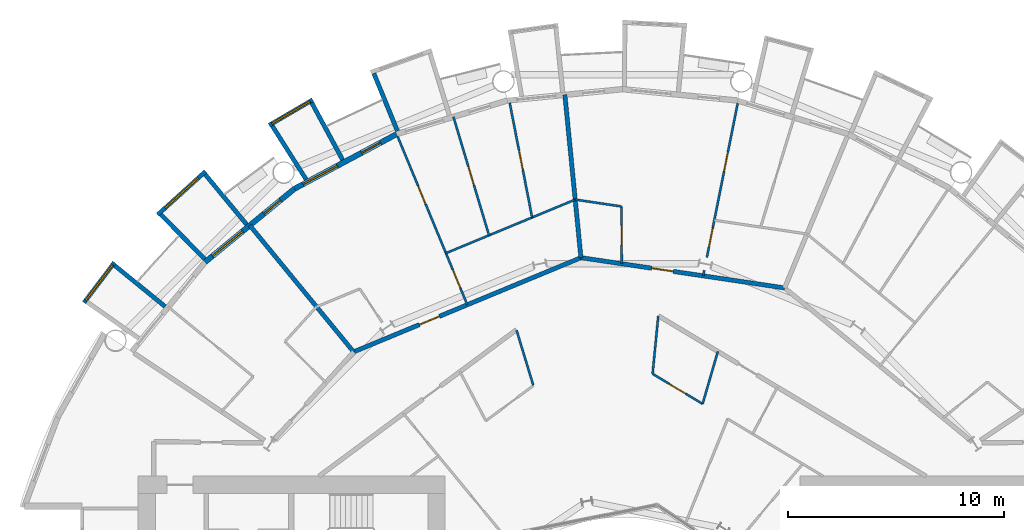
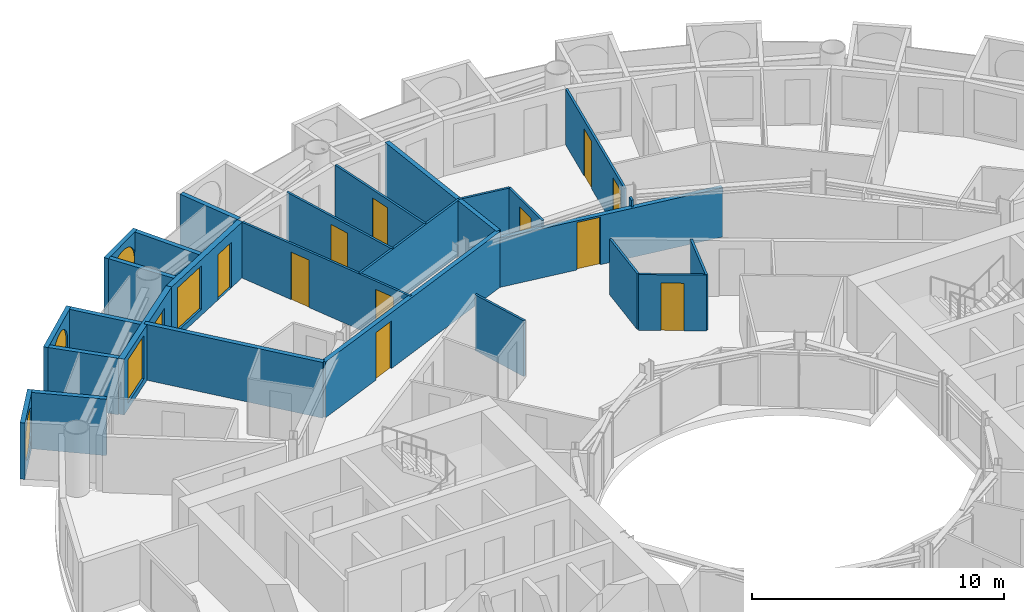
# One storey, part 19 of 26: 27 walls, 12 doors, 5 windows, 17 openings.
"""IFC4 building model written with IfcOpenShell, lengths in metres."""

from ifc_helpers import new_model, si_unit, direction, frame, frame_2d, origin, place, context, subcontext, project, spatial, rectangle, circle, extrude, material, layer, layer_set, type_object, element, fill, save


model = new_model("IFC4")

# Units and contexts
model_context = context("Model", 3, precision=1e-05, world=origin(), true_north=direction((0.0, 1.0)))
body_context = subcontext(model_context, "Body", "Model", "MODEL_VIEW")
ifc_project = project(units=[si_unit("LENGTHUNIT", "METRE"), si_unit("AREAUNIT", "SQUARE_METRE"), si_unit("VOLUMEUNIT", "CUBIC_METRE"), si_unit("PLANEANGLEUNIT", "RADIAN"), si_unit("MASSUNIT", "GRAM", prefix="KILO")], contexts=[model_context])

# Site, building, storey
site_placement = place(None, origin())
site = spatial("IfcSite", under=ifc_project, at=site_placement, CompositionType="ELEMENT")
building_placement = place(site_placement, origin())
building = spatial("IfcBuilding", under=site, at=building_placement, Name="Maasbend Ring Residences", CompositionType="ELEMENT")
storey_placement = place(building_placement, frame((0.0, 0.0, 50.25)))
storey = spatial("IfcBuildingStorey", under=building, at=storey_placement, Name="L14", CompositionType="ELEMENT", Elevation=50.25)

# Wall, opening, door
ifc_material_1 = material(Name="Concrete C30/37", Category="concrete")
ifc_layer_1 = layer(ifc_material_1, 0.199951171875)
ifc_layer_set_1 = layer_set([ifc_layer_1], Name="Concrete C30/37")
wall_type_1 = type_object("IfcWallType", Name="CORRIDOR WALL 200 CONCRETE", PredefinedType="PARTITIONING", material=ifc_layer_set_1)
wall_1_placement = place(storey_placement, frame((-12.43505859375, 15.14990234375, 0.0), z_axis=(0.0, 0.0, 1.0), x_axis=(0.923845560554, 0.38276543763, 0.0)))
wall_1 = element("IfcWall", 1, at=wall_1_placement, inside=storey, type_object=wall_type_1, Name="U-L14-w092", PredefinedType="PARTITIONING", context=body_context, shape_type="SweptSolid", body=[
    extrude(rectangle(XDim=11.380859375, YDim=0.199951171875, at=frame_2d((5.6904296875, 0.0))), origin(), (0.0, 0.0, 1.0), 2.699951171875),
])
opening_1_placement = place(wall_1_placement, frame((3.29296875, 0.0, 0.0)))
opening_1 = element("IfcOpeningElement", 2, at=opening_1_placement, cuts=wall_1, Name="Opening D-1412", PredefinedType="OPENING", context=body_context, shape_type="SweptSolid", body=[
    extrude(rectangle(XDim=1.0, YDim=2.300048828125, at=frame_2d((0.5, 1.14990234375))), frame((0.0, 0.10986328125, 0.0), z_axis=(0.0, -1.0, 0.0), x_axis=(1.0, 0.0, 0.0)), (0.0, 0.0, 1.0), 0.219970703125),
])
ifc_material_2 = material(Name="Timber, fire-rated, painted", Category="wood")
door_type_1 = type_object("IfcDoorType", Name="FLAT ENTRANCE DOOR 1000 X 2300 FIRE-RATED", OperationType="NOTDEFINED", PredefinedType="DOOR", material=ifc_material_2)
door_1_placement = place(opening_1_placement, origin())
door_1 = element("IfcDoor", 3, at=door_1_placement, inside=storey, type_object=door_type_1, Name="D-1412", OperationType="SINGLE_SWING_LEFT", OverallHeight=2.300048828125, OverallWidth=1.0, PredefinedType="DOOR", context=body_context, shape_type="SweptSolid", body=[
    extrude(rectangle(XDim=1.0, YDim=2.300048828125, at=frame_2d((0.5, 1.14990234375))), frame((0.0, 0.02490234375, 0.0), z_axis=(0.0, -1.0, 0.0), x_axis=(1.0, 0.0, 0.0)), (0.0, 0.0, 1.0), 0.050048828125),
])
fill(opening_1, door_1)

wall_2_placement = place(storey_placement, frame((-1.9208984375, 19.506103515625, 0.0), z_axis=(0.0, 0.0, 1.0), x_axis=(0.989134446023, -0.147013767014, 0.0)))
wall_2 = element("IfcWall", 4, at=wall_2_placement, inside=storey, type_object=wall_type_1, Name="U-L14-w094", PredefinedType="PARTITIONING", context=body_context, shape_type="SweptSolid", body=[
    extrude(rectangle(XDim=9.530517578125, YDim=0.199951171875, at=frame_2d((4.76513671875, 0.0))), origin(), (0.0, 0.0, 1.0), 2.3798828125),
])
opening_2_placement = place(wall_2_placement, frame((3.31005859375, 0.0, 0.0)))
opening_2 = element("IfcOpeningElement", 5, at=opening_2_placement, cuts=wall_2, Name="Opening D-1407", PredefinedType="OPENING", context=body_context, shape_type="SweptSolid", body=[
    extrude(rectangle(XDim=1.0, YDim=2.300048828125, at=frame_2d((0.5, 1.14990234375))), frame((0.0, 0.10986328125, 0.0), z_axis=(0.0, -1.0, 0.0), x_axis=(1.0, 0.0, 0.0)), (0.0, 0.0, 1.0), 0.219970703125),
])
door_2_placement = place(opening_2_placement, origin())
door_2 = element("IfcDoor", 6, at=door_2_placement, inside=storey, type_object=door_type_1, Name="D-1407", OperationType="SINGLE_SWING_LEFT", OverallHeight=2.300048828125, OverallWidth=1.0, PredefinedType="DOOR", context=body_context, shape_type="SweptSolid", body=[
    extrude(rectangle(XDim=1.0, YDim=2.300048828125, at=frame_2d((0.5, 1.14990234375))), frame((0.0, 0.02490234375, 0.0), z_axis=(0.0, -1.0, 0.0), x_axis=(1.0, 0.0, 0.0)), (0.0, 0.0, 1.0), 0.050048828125),
])
fill(opening_2, door_2)

# Wall
ifc_material_3 = material(Name="Pale anodised aluminium panel", Category="aluminium")
ifc_layer_2 = layer(ifc_material_3, 0.199951171875)
ifc_layer_set_2 = layer_set([ifc_layer_2], Name="EW-BOX")
wall_type_2 = type_object("IfcWallType", Name="EW-BOX", PredefinedType="SOLIDWALL", material=ifc_layer_set_2)
wall_3_placement = place(storey_placement, frame((-10.408935546875, 25.364013671875, -0.030029296875), z_axis=(0.0, 0.0, 1.0), x_axis=(-0.379509886562, 0.925187681501, 0.0)))
element("IfcWall", 7, at=wall_3_placement, inside=storey, type_object=wall_type_2, Name="Box side wall N14 right", PredefinedType="SOLIDWALL", context=body_context, shape_type="SweptSolid", body=[
    extrude(rectangle(XDim=2.882568359375, YDim=0.199951171875, at=frame_2d((1.44140625, 0.0))), origin(), (0.0, 0.0, 1.0), 2.72998046875),
])

# Wall, opening, window
wall_4_placement = place(storey_placement, frame((-14.326904296875, 26.81201171875, -0.030029296875), z_axis=(0.0, 0.0, 1.0), x_axis=(-0.863346521872, -0.504611517081, 0.0)))
wall_4 = element("IfcWall", 8, at=wall_4_placement, inside=storey, type_object=wall_type_2, Name="Box front N16", PredefinedType="SOLIDWALL", context=body_context, shape_type="SweptSolid", body=[
    extrude(rectangle(XDim=2.33642578125, YDim=0.199951171875, at=frame_2d((1.168212890625, 0.0))), origin(), (0.0, 0.0, 1.0), 2.72998046875),
])
opening_3_placement = place(wall_4_placement, frame((0.128173828125, 0.0, 0.330078125)))
opening_3 = element("IfcOpeningElement", 9, at=opening_3_placement, cuts=wall_4, Name="Opening W-RD", PredefinedType="OPENING", context=body_context, shape_type="SweptSolid", body=[
    extrude(circle(Radius=1.0400390625, at=frame_2d((1.0400390625, 1.0400390625))), frame((0.0, 0.10986328125, 0.0), z_axis=(0.0, -1.0, 0.0), x_axis=(1.0, 0.0, 0.0)), (0.0, 0.0, 1.0), 0.219970703125),
])
ifc_material_4 = material(Name="Aluminium and clear glass", Category="aluminium")
window_type_1 = type_object("IfcWindowType", Name="W-RD", PartitioningType="SINGLE_PANEL", PredefinedType="WINDOW", material=ifc_material_4)
window_1_placement = place(opening_3_placement, origin())
window_1 = element("IfcWindow", 10, at=window_1_placement, inside=storey, type_object=window_type_1, Name="Round window N16", OverallHeight=2.080078125, OverallWidth=2.080078125, PartitioningType="SINGLE_PANEL", PredefinedType="WINDOW", context=body_context, shape_type="SweptSolid", body=[
    extrude(circle(Radius=1.0400390625, at=frame_2d((1.0400390625, 1.0400390625))), frame((0.0, 0.030029296875, 0.0), z_axis=(0.0, -1.0, 0.0), x_axis=(1.0, 0.0, 0.0)), (0.0, 0.0, 1.0), 0.06005859375),
])
fill(opening_3, window_1)

# Walls
wall_5_placement = place(storey_placement, frame((-12.945068359375, 24.029052734375, -0.030029296875), z_axis=(0.0, 0.0, 1.0), x_axis=(-0.474424310775, 0.88029629861, 0.0)))
element("IfcWall", 11, at=wall_5_placement, inside=storey, type_object=wall_type_2, Name="Box side wall N16 left", PredefinedType="SOLIDWALL", context=body_context, shape_type="SweptSolid", body=[
    extrude(rectangle(XDim=3.005859375, YDim=0.199951171875, at=frame_2d((1.5029296875, 0.0))), origin(), (0.0, 0.0, 1.0), 2.72998046875),
])
wall_6_placement = place(storey_placement, frame((-14.635009765625, 23.1259765625, -0.030029296875), z_axis=(0.0, 0.0, 1.0), x_axis=(-0.534437802731, 0.845207805816, 0.0)))
element("IfcWall", 12, at=wall_6_placement, inside=storey, type_object=wall_type_2, Name="Box side wall N16 right", PredefinedType="SOLIDWALL", context=body_context, shape_type="SweptSolid", body=[
    extrude(rectangle(XDim=2.931884765625, YDim=0.199951171875, at=frame_2d((1.4658203125, 0.0))), origin(), (0.0, 0.0, 1.0), 2.72998046875),
])

# Wall, opening, window
wall_7_placement = place(storey_placement, frame((-19.281982421875, 23.5029296875, -0.030029296875), z_axis=(0.0, 0.0, 1.0), x_axis=(-0.740998365753, -0.671506829416, 0.0)))
wall_7 = element("IfcWall", 13, at=wall_7_placement, inside=storey, type_object=wall_type_2, Name="Box front N18", PredefinedType="SOLIDWALL", context=body_context, shape_type="SweptSolid", body=[
    extrude(rectangle(XDim=2.9931640625, YDim=0.199951171875, at=frame_2d((1.49658203125, 0.0))), origin(), (0.0, 0.0, 1.0), 2.72998046875),
])
opening_4_placement = place(wall_7_placement, frame((0.45654296875, 0.0, 0.330078125)))
opening_4 = element("IfcOpeningElement", 14, at=opening_4_placement, cuts=wall_7, Name="Opening W-RD", PredefinedType="OPENING", context=body_context, shape_type="SweptSolid", body=[
    extrude(circle(Radius=1.0400390625, at=frame_2d((1.0400390625, 1.0400390625))), frame((0.0, 0.10986328125, 0.0), z_axis=(0.0, -1.0, 0.0), x_axis=(1.0, 0.0, 0.0)), (0.0, 0.0, 1.0), 0.219970703125),
])
window_2_placement = place(opening_4_placement, origin())
window_2 = element("IfcWindow", 15, at=window_2_placement, inside=storey, type_object=window_type_1, Name="Round window N18", OverallHeight=2.080078125, OverallWidth=2.080078125, PartitioningType="SINGLE_PANEL", PredefinedType="WINDOW", context=body_context, shape_type="SweptSolid", body=[
    extrude(circle(Radius=1.0400390625, at=frame_2d((1.0400390625, 1.0400390625))), frame((0.0, 0.030029296875, 0.0), z_axis=(0.0, -1.0, 0.0), x_axis=(1.0, 0.0, 0.0)), (0.0, 0.0, 1.0), 0.06005859375),
])
fill(opening_4, window_2)

# Walls
wall_8_placement = place(storey_placement, frame((-17.384033203125, 21.041015625, -0.030029296875), z_axis=(0.0, 0.0, 1.0), x_axis=(-0.63709551667, 0.770784861449, 0.0)))
element("IfcWall", 16, at=wall_8_placement, inside=storey, type_object=wall_type_2, Name="Box side wall N18 left", PredefinedType="SOLIDWALL", context=body_context, shape_type="SweptSolid", body=[
    extrude(rectangle(XDim=3.005859375, YDim=0.199951171875, at=frame_2d((1.5029296875, 0.0))), origin(), (0.0, 0.0, 1.0), 2.72998046875),
])
wall_9_placement = place(storey_placement, frame((-19.322998046875, 19.449951171875, -0.030029296875), z_axis=(0.0, 0.0, 1.0), x_axis=(-0.704476739375, 0.709727076896, 0.0)))
element("IfcWall", 17, at=wall_9_placement, inside=storey, type_object=wall_type_2, Name="Box side wall N18 right", PredefinedType="SOLIDWALL", context=body_context, shape_type="SweptSolid", body=[
    extrude(rectangle(XDim=2.883056640625, YDim=0.199951171875, at=frame_2d((1.44140625, 0.0))), origin(), (0.0, 0.0, 1.0), 2.72998046875),
])

# Wall, opening, window
wall_10_placement = place(storey_placement, frame((-23.4970703125, 19.2890625, -0.030029296875), z_axis=(0.0, 0.0, 1.0), x_axis=(-0.60418752353, -0.796842165306, 0.0)))
wall_10 = element("IfcWall", 18, at=wall_10_placement, inside=storey, type_object=wall_type_2, Name="Box front N20", PredefinedType="SOLIDWALL", context=body_context, shape_type="SweptSolid", body=[
    extrude(rectangle(XDim=2.3369140625, YDim=0.199951171875, at=frame_2d((1.16845703125, 0.0))), origin(), (0.0, 0.0, 1.0), 2.72998046875),
])
opening_5_placement = place(wall_10_placement, frame((0.128173828125, 0.0, 0.330078125)))
opening_5 = element("IfcOpeningElement", 19, at=opening_5_placement, cuts=wall_10, Name="Opening W-RD", PredefinedType="OPENING", context=body_context, shape_type="SweptSolid", body=[
    extrude(circle(Radius=1.0400390625, at=frame_2d((1.0400390625, 1.0400390625))), frame((0.0, 0.10986328125, 0.0), z_axis=(0.0, -1.0, 0.0), x_axis=(1.0, 0.0, 0.0)), (0.0, 0.0, 1.0), 0.219970703125),
])
window_3_placement = place(opening_5_placement, origin())
window_3 = element("IfcWindow", 20, at=window_3_placement, inside=storey, type_object=window_type_1, Name="Round window N20", OverallHeight=2.080078125, OverallWidth=2.080078125, PartitioningType="SINGLE_PANEL", PredefinedType="WINDOW", context=body_context, shape_type="SweptSolid", body=[
    extrude(circle(Radius=1.0400390625, at=frame_2d((1.0400390625, 1.0400390625))), frame((0.0, 0.030029296875, 0.0), z_axis=(0.0, -1.0, 0.0), x_axis=(1.0, 0.0, 0.0)), (0.0, 0.0, 1.0), 0.06005859375),
])
fill(opening_5, window_3)

# Wall
wall_11_placement = place(storey_placement, frame((-21.155029296875, 17.24609375, -0.030029296875), z_axis=(0.0, 0.0, 1.0), x_axis=(-0.775179004516, 0.631741648902, 0.0)))
element("IfcWall", 21, at=wall_11_placement, inside=storey, type_object=wall_type_2, Name="Box side wall N20 left", PredefinedType="SOLIDWALL", context=body_context, shape_type="SweptSolid", body=[
    extrude(rectangle(XDim=3.005859375, YDim=0.199951171875, at=frame_2d((1.5029296875, 0.0))), origin(), (0.0, 0.0, 1.0), 2.72998046875),
])

# Wall, openings, door, window
ifc_material_5 = material(Name="Aluminium clad insulated panel", Category="aluminium")
ifc_layer_3 = layer(ifc_material_5, 0.25)
ifc_layer_set_3 = layer_set([ifc_layer_3], Name="EW-GL")
wall_type_3 = type_object("IfcWallType", Name="EW-GL", PredefinedType="SOLIDWALL", material=ifc_layer_set_3)
wall_12_placement = place(storey_placement, frame((-10.447021484375, 25.221923828125, 0.0), z_axis=(0.0, 0.0, 1.0), x_axis=(-0.881915646801, -0.471407246368, 0.0)))
wall_12 = element("IfcWall", 22, at=wall_12_placement, inside=storey, type_object=wall_type_3, Name="External wall N08", PredefinedType="SOLIDWALL", context=body_context, shape_type="SweptSolid", body=[
    extrude(rectangle(XDim=5.35205078125, YDim=0.25, at=frame_2d((2.676025390625, 0.0))), origin(), (0.0, 0.0, 1.0), 2.699951171875),
])
opening_6_placement = place(wall_12_placement, frame((0.841064453125, 0.0, 0.0)))
opening_6 = element("IfcOpeningElement", 23, at=opening_6_placement, cuts=wall_12, Name="Opening D-LG", PredefinedType="OPENING", context=body_context, shape_type="SweptSolid", body=[
    extrude(rectangle(XDim=1.0, YDim=2.199951171875, at=frame_2d((0.5, 1.10009765625))), frame((0.0, 0.135009765625, 0.0), z_axis=(0.0, -1.0, 0.0), x_axis=(1.0, 0.0, 0.0)), (0.0, 0.0, 1.0), 0.27001953125),
])
opening_7_placement = place(wall_12_placement, frame((3.110595703125, 0.0, 0.300048828125)))
opening_7 = element("IfcOpeningElement", 24, at=opening_7_placement, cuts=wall_12, Name="Opening W-BX", PredefinedType="OPENING", context=body_context, shape_type="SweptSolid", body=[
    extrude(rectangle(XDim=1.800048828125, YDim=2.10009765625, at=frame_2d((0.89990234375, 1.050048828125))), frame((0.0, 0.135009765625, 0.0), z_axis=(0.0, -1.0, 0.0), x_axis=(1.0, 0.0, 0.0)), (0.0, 0.0, 1.0), 0.27001953125),
])
ifc_material_6 = material(Name="Aluminium and clear glass", Category="aluminium")
door_type_2 = type_object("IfcDoorType", Name="D-LG", OperationType="SINGLE_SWING_LEFT", PredefinedType="DOOR", material=ifc_material_6)
door_3_placement = place(opening_6_placement, origin())
door_3 = element("IfcDoor", 25, at=door_3_placement, inside=storey, type_object=door_type_2, Name="Loggia door N15", OperationType="SINGLE_SWING_LEFT", OverallHeight=2.199951171875, OverallWidth=1.0, PredefinedType="DOOR", context=body_context, shape_type="SweptSolid", body=[
    extrude(rectangle(XDim=1.0, YDim=2.199951171875, at=frame_2d((0.5, 1.10009765625))), frame((0.0, 0.02490234375, 0.0), z_axis=(0.0, -1.0, 0.0), x_axis=(1.0, 0.0, 0.0)), (0.0, 0.0, 1.0), 0.050048828125),
])
fill(opening_6, door_3)
ifc_material_7 = material(Name="Aluminium and clear glass", Category="aluminium")
window_type_2 = type_object("IfcWindowType", Name="W-BX", PartitioningType="DOUBLE_PANEL_VERTICAL", PredefinedType="WINDOW", material=ifc_material_7)
window_4_placement = place(opening_7_placement, origin())
window_4 = element("IfcWindow", 26, at=window_4_placement, inside=storey, type_object=window_type_2, Name="Window N16 room to box", OverallHeight=2.10009765625, OverallWidth=1.800048828125, PartitioningType="SINGLE_PANEL", PredefinedType="WINDOW", context=body_context, shape_type="SweptSolid", body=[
    extrude(rectangle(XDim=1.800048828125, YDim=2.10009765625, at=frame_2d((0.89990234375, 1.050048828125))), frame((0.0, 0.030029296875, 0.0), z_axis=(0.0, -1.0, 0.0), x_axis=(1.0, 0.0, 0.0)), (0.0, 0.0, 1.0), 0.06005859375),
])
fill(opening_7, window_4)

wall_13_placement = place(storey_placement, frame((-15.1669921875, 22.698974609375, 0.0), z_axis=(0.0, 0.0, 1.0), x_axis=(-0.773019449054, -0.634382322723, 0.0)))
wall_13 = element("IfcWall", 27, at=wall_13_placement, inside=storey, type_object=wall_type_3, Name="External wall N09", PredefinedType="SOLIDWALL", context=body_context, shape_type="SweptSolid", body=[
    extrude(rectangle(XDim=5.351806640625, YDim=0.25, at=frame_2d((2.67578125, 0.0))), origin(), (0.0, 0.0, 1.0), 2.699951171875),
])
opening_8_placement = place(wall_13_placement, frame((0.841064453125, 0.0, 0.0)))
opening_8 = element("IfcOpeningElement", 28, at=opening_8_placement, cuts=wall_13, Name="Opening D-LG", PredefinedType="OPENING", context=body_context, shape_type="SweptSolid", body=[
    extrude(rectangle(XDim=1.0, YDim=2.199951171875, at=frame_2d((0.5, 1.10009765625))), frame((0.0, 0.135009765625, 0.0), z_axis=(0.0, -1.0, 0.0), x_axis=(1.0, 0.0, 0.0)), (0.0, 0.0, 1.0), 0.27001953125),
])
opening_9_placement = place(wall_13_placement, frame((3.110595703125, 0.0, 0.300048828125)))
opening_9 = element("IfcOpeningElement", 29, at=opening_9_placement, cuts=wall_13, Name="Opening W-BX", PredefinedType="OPENING", context=body_context, shape_type="SweptSolid", body=[
    extrude(rectangle(XDim=1.800048828125, YDim=2.10009765625, at=frame_2d((0.89990234375, 1.050048828125))), frame((0.0, 0.135009765625, 0.0), z_axis=(0.0, -1.0, 0.0), x_axis=(1.0, 0.0, 0.0)), (0.0, 0.0, 1.0), 0.27001953125),
])
door_4_placement = place(opening_8_placement, origin())
door_4 = element("IfcDoor", 30, at=door_4_placement, inside=storey, type_object=door_type_2, Name="Loggia door N17", OperationType="SINGLE_SWING_LEFT", OverallHeight=2.199951171875, OverallWidth=1.0, PredefinedType="DOOR", context=body_context, shape_type="SweptSolid", body=[
    extrude(rectangle(XDim=1.0, YDim=2.199951171875, at=frame_2d((0.5, 1.10009765625))), frame((0.0, 0.02490234375, 0.0), z_axis=(0.0, -1.0, 0.0), x_axis=(1.0, 0.0, 0.0)), (0.0, 0.0, 1.0), 0.050048828125),
])
fill(opening_8, door_4)
window_5_placement = place(opening_9_placement, origin())
window_5 = element("IfcWindow", 31, at=window_5_placement, inside=storey, type_object=window_type_2, Name="Window N18 room to box", OverallHeight=2.10009765625, OverallWidth=1.800048828125, PartitioningType="SINGLE_PANEL", PredefinedType="WINDOW", context=body_context, shape_type="SweptSolid", body=[
    extrude(rectangle(XDim=1.800048828125, YDim=2.10009765625, at=frame_2d((0.89990234375, 1.050048828125))), frame((0.0, 0.030029296875, 0.0), z_axis=(0.0, -1.0, 0.0), x_axis=(1.0, 0.0, 0.0)), (0.0, 0.0, 1.0), 0.06005859375),
])
fill(opening_9, window_5)

# Wall, openings, doors
ifc_material_8 = material(Name="Gypsum board on steel studs", Category="steel")
ifc_layer_4 = layer(ifc_material_8, 0.10009765625)
ifc_layer_set_4 = layer_set([ifc_layer_4], Name="PARTITION 100 GYPSUM")
wall_type_4 = type_object("IfcWallType", Name="PARTITION 100 GYPSUM", PredefinedType="PARTITIONING", material=ifc_layer_set_4)
wall_14_placement = place(storey_placement, frame((-10.39794921875, 25.10693359375, 0.0), z_axis=(0.0, 0.0, 1.0), x_axis=(0.382458509789, -0.923972666419, 0.0)))
wall_14 = element("IfcWall", 32, at=wall_14_placement, inside=storey, type_object=wall_type_4, Name="U-L14-w031", PredefinedType="PARTITIONING", context=body_context, shape_type="SweptSolid", body=[
    extrude(rectangle(XDim=8.419189453125, YDim=0.10009765625, at=frame_2d((4.20947265625, 0.0))), origin(), (0.0, 0.0, 1.0), 2.699951171875),
])
opening_10_placement = place(wall_14_placement, frame((6.677001953125, 0.0, 0.0)))
opening_10 = element("IfcOpeningElement", 33, at=opening_10_placement, cuts=wall_14, Name="Opening D-1414", PredefinedType="OPENING", context=body_context, shape_type="SweptSolid", body=[
    extrude(rectangle(XDim=0.89990234375, YDim=2.300048828125, at=frame_2d((0.449951171875, 1.14990234375))), frame((0.0, 0.06005859375, 0.0), z_axis=(0.0, -1.0, 0.0), x_axis=(1.0, 0.0, 0.0)), (0.0, 0.0, 1.0), 0.1201171875),
])
opening_11_placement = place(wall_14_placement, frame((2.468017578125, 0.0, 0.0)))
opening_11 = element("IfcOpeningElement", 34, at=opening_11_placement, cuts=wall_14, Name="Opening D-1415", PredefinedType="OPENING", context=body_context, shape_type="SweptSolid", body=[
    extrude(rectangle(XDim=0.89990234375, YDim=2.300048828125, at=frame_2d((0.449951171875, 1.14990234375))), frame((0.0, 0.06005859375, 0.0), z_axis=(0.0, -1.0, 0.0), x_axis=(1.0, 0.0, 0.0)), (0.0, 0.0, 1.0), 0.1201171875),
])
ifc_material_9 = material(Name="Timber, painted", Category="wood")
door_type_3 = type_object("IfcDoorType", Name="INTERNAL DOOR 900 X 2300", OperationType="NOTDEFINED", PredefinedType="DOOR", material=ifc_material_9)
door_5_placement = place(opening_10_placement, origin())
door_5 = element("IfcDoor", 35, at=door_5_placement, inside=storey, type_object=door_type_3, Name="D-1414", OperationType="SINGLE_SWING_RIGHT", OverallHeight=2.300048828125, OverallWidth=0.89990234375, PredefinedType="DOOR", context=body_context, shape_type="SweptSolid", body=[
    extrude(rectangle(XDim=0.89990234375, YDim=2.300048828125, at=frame_2d((0.449951171875, 1.14990234375))), frame((0.0, 0.02490234375, 0.0), z_axis=(0.0, -1.0, 0.0), x_axis=(1.0, 0.0, 0.0)), (0.0, 0.0, 1.0), 0.050048828125),
])
fill(opening_10, door_5)
door_6_placement = place(opening_11_placement, origin())
door_6 = element("IfcDoor", 36, at=door_6_placement, inside=storey, type_object=door_type_3, Name="D-1415", OperationType="SINGLE_SWING_LEFT", OverallHeight=2.300048828125, OverallWidth=0.89990234375, PredefinedType="DOOR", context=body_context, shape_type="SweptSolid", body=[
    extrude(rectangle(XDim=0.89990234375, YDim=2.300048828125, at=frame_2d((0.449951171875, 1.14990234375))), frame((0.0, 0.02490234375, 0.0), z_axis=(0.0, -1.0, 0.0), x_axis=(1.0, 0.0, 0.0)), (0.0, 0.0, 1.0), 0.050048828125),
])
fill(opening_11, door_6)

# Wall, opening, door
wall_15_placement = place(storey_placement, frame((-7.821044921875, 26.02490234375, 0.0), z_axis=(0.0, 0.0, 1.0), x_axis=(0.287793773423, -0.957692405723, 0.0)))
wall_15 = element("IfcWall", 37, at=wall_15_placement, inside=storey, type_object=wall_type_4, Name="U-L14-w046", PredefinedType="PARTITIONING", context=body_context, shape_type="SweptSolid", body=[
    extrude(rectangle(XDim=5.72607421875, YDim=0.10009765625, at=frame_2d((2.863037109375, 0.0))), origin(), (0.0, 0.0, 1.0), 2.699951171875),
])
opening_12_placement = place(wall_15_placement, frame((2.4130859375, 0.0, 0.0)))
opening_12 = element("IfcOpeningElement", 38, at=opening_12_placement, cuts=wall_15, Name="Opening D-1416", PredefinedType="OPENING", context=body_context, shape_type="SweptSolid", body=[
    extrude(rectangle(XDim=0.89990234375, YDim=2.300048828125, at=frame_2d((0.449951171875, 1.14990234375))), frame((0.0, 0.06005859375, 0.0), z_axis=(0.0, -1.0, 0.0), x_axis=(1.0, 0.0, 0.0)), (0.0, 0.0, 1.0), 0.1201171875),
])
door_7_placement = place(opening_12_placement, origin())
door_7 = element("IfcDoor", 39, at=door_7_placement, inside=storey, type_object=door_type_3, Name="D-1416", OperationType="SINGLE_SWING_LEFT", OverallHeight=2.300048828125, OverallWidth=0.89990234375, PredefinedType="DOOR", context=body_context, shape_type="SweptSolid", body=[
    extrude(rectangle(XDim=0.89990234375, YDim=2.300048828125, at=frame_2d((0.449951171875, 1.14990234375))), frame((0.0, 0.02490234375, 0.0), z_axis=(0.0, -1.0, 0.0), x_axis=(1.0, 0.0, 0.0)), (0.0, 0.0, 1.0), 0.050048828125),
])
fill(opening_12, door_7)

wall_16_placement = place(storey_placement, frame((-5.217041015625, 26.669921875, 0.0), z_axis=(0.0, 0.0, 1.0), x_axis=(0.192109041462, -0.981373586453, 0.0)))
wall_16 = element("IfcWall", 40, at=wall_16_placement, inside=storey, type_object=wall_type_4, Name="U-L14-w050", PredefinedType="PARTITIONING", context=body_context, shape_type="SweptSolid", body=[
    extrude(rectangle(XDim=5.403564453125, YDim=0.10009765625, at=frame_2d((2.70166015625, 0.0))), origin(), (0.0, 0.0, 1.0), 2.699951171875),
])
opening_13_placement = place(wall_16_placement, frame((2.251953125, 0.0, 0.0)))
opening_13 = element("IfcOpeningElement", 41, at=opening_13_placement, cuts=wall_16, Name="Opening D-1417", PredefinedType="OPENING", context=body_context, shape_type="SweptSolid", body=[
    extrude(rectangle(XDim=0.89990234375, YDim=2.300048828125, at=frame_2d((0.449951171875, 1.14990234375))), frame((0.0, 0.06005859375, 0.0), z_axis=(0.0, -1.0, 0.0), x_axis=(1.0, 0.0, 0.0)), (0.0, 0.0, 1.0), 0.1201171875),
])
door_8_placement = place(opening_13_placement, origin())
door_8 = element("IfcDoor", 42, at=door_8_placement, inside=storey, type_object=door_type_3, Name="D-1417", OperationType="SINGLE_SWING_RIGHT", OverallHeight=2.300048828125, OverallWidth=0.89990234375, PredefinedType="DOOR", context=body_context, shape_type="SweptSolid", body=[
    extrude(rectangle(XDim=0.89990234375, YDim=2.300048828125, at=frame_2d((0.449951171875, 1.14990234375))), frame((0.0, 0.02490234375, 0.0), z_axis=(0.0, -1.0, 0.0), x_axis=(1.0, 0.0, 0.0)), (0.0, 0.0, 1.0), 0.050048828125),
])
fill(opening_13, door_8)

wall_17_placement = place(storey_placement, frame((-0.037109375, 19.22607421875, 0.0), z_axis=(0.0, 0.0, 1.0), x_axis=(-0.001843314841, 0.999998301094, 0.0)))
wall_17 = element("IfcWall", 43, at=wall_17_placement, inside=storey, type_object=wall_type_4, Name="U-L14-w053", PredefinedType="PARTITIONING", context=body_context, shape_type="SweptSolid", body=[
    extrude(rectangle(XDim=2.64892578125, YDim=0.10009765625, at=frame_2d((1.324462890625, 0.0))), origin(), (0.0, 0.0, 1.0), 2.699951171875),
])
opening_14_placement = place(wall_17_placement, frame((0.875, 0.0, 0.0)))
opening_14 = element("IfcOpeningElement", 44, at=opening_14_placement, cuts=wall_17, Name="Opening D-1408", PredefinedType="OPENING", context=body_context, shape_type="SweptSolid", body=[
    extrude(rectangle(XDim=0.89990234375, YDim=2.300048828125, at=frame_2d((0.449951171875, 1.14990234375))), frame((0.0, 0.06005859375, 0.0), z_axis=(0.0, -1.0, 0.0), x_axis=(1.0, 0.0, 0.0)), (0.0, 0.0, 1.0), 0.1201171875),
])
door_9_placement = place(opening_14_placement, origin())
door_9 = element("IfcDoor", 45, at=door_9_placement, inside=storey, type_object=door_type_3, Name="D-1408", OperationType="SINGLE_SWING_RIGHT", OverallHeight=2.300048828125, OverallWidth=0.89990234375, PredefinedType="DOOR", context=body_context, shape_type="SweptSolid", body=[
    extrude(rectangle(XDim=0.89990234375, YDim=2.300048828125, at=frame_2d((0.449951171875, 1.14990234375))), frame((0.0, 0.02490234375, 0.0), z_axis=(0.0, -1.0, 0.0), x_axis=(1.0, 0.0, 0.0)), (0.0, 0.0, 1.0), 0.050048828125),
])
fill(opening_14, door_9)

# Walls
wall_18_placement = place(storey_placement, frame((3.7060546875, 12.743896484375, 0.0), z_axis=(0.0, 0.0, 1.0), x_axis=(0.279201466266, 0.960232545395, 0.0)))
element("IfcWall", 46, at=wall_18_placement, inside=storey, type_object=wall_type_4, Name="U-L14-w059", PredefinedType="PARTITIONING", context=body_context, shape_type="SweptSolid", body=[
    extrude(rectangle(XDim=2.5244140625, YDim=0.10009765625, at=frame_2d((1.26220703125, 0.0))), origin(), (0.0, 0.0, 1.0), 2.699951171875),
])
wall_19_placement = place(storey_placement, frame((3.73291015625, 18.6669921875, 0.0), z_axis=(0.0, 0.0, 1.0), x_axis=(0.193340656307, 0.981131688724, 0.0)))
element("IfcWall", 47, at=wall_19_placement, inside=storey, type_object=wall_type_4, Name="U-L14-w060", PredefinedType="PARTITIONING", context=body_context, shape_type="SweptSolid", body=[
    extrude(rectangle(XDim=0.25390625, YDim=0.10009765625, at=frame_2d((0.126953125, 0.0))), origin(), (0.0, 0.0, 1.0), 2.699951171875),
])

# Wall, openings, doors
wall_20_placement = place(storey_placement, frame((3.904052734375, 19.52392578125, 0.0), z_axis=(0.0, 0.0, 1.0), x_axis=(0.195857618189, 0.980632343642, 0.0)))
wall_20 = element("IfcWall", 48, at=wall_20_placement, inside=storey, type_object=wall_type_4, Name="U-L14-w061", PredefinedType="PARTITIONING", context=body_context, shape_type="SweptSolid", body=[
    extrude(rectangle(XDim=7.2646484375, YDim=0.10009765625, at=frame_2d((3.63232421875, 0.0))), origin(), (0.0, 0.0, 1.0), 2.699951171875),
])
opening_15_placement = place(wall_20_placement, frame((0.47607421875, 0.0, 0.0)))
opening_15 = element("IfcOpeningElement", 49, at=opening_15_placement, cuts=wall_20, Name="Opening D-1409", PredefinedType="OPENING", context=body_context, shape_type="SweptSolid", body=[
    extrude(rectangle(XDim=0.89990234375, YDim=2.300048828125, at=frame_2d((0.449951171875, 1.14990234375))), frame((0.0, 0.06005859375, 0.0), z_axis=(0.0, -1.0, 0.0), x_axis=(1.0, 0.0, 0.0)), (0.0, 0.0, 1.0), 0.1201171875),
])
opening_16_placement = place(wall_20_placement, frame((4.05810546875, 0.0, 0.0)))
opening_16 = element("IfcOpeningElement", 50, at=opening_16_placement, cuts=wall_20, Name="Opening D-1410", PredefinedType="OPENING", context=body_context, shape_type="SweptSolid", body=[
    extrude(rectangle(XDim=0.89990234375, YDim=2.300048828125, at=frame_2d((0.449951171875, 1.14990234375))), frame((0.0, 0.06005859375, 0.0), z_axis=(0.0, -1.0, 0.0), x_axis=(1.0, 0.0, 0.0)), (0.0, 0.0, 1.0), 0.1201171875),
])
door_10_placement = place(opening_15_placement, origin())
door_10 = element("IfcDoor", 51, at=door_10_placement, inside=storey, type_object=door_type_3, Name="D-1409", OperationType="SINGLE_SWING_LEFT", OverallHeight=2.300048828125, OverallWidth=0.89990234375, PredefinedType="DOOR", context=body_context, shape_type="SweptSolid", body=[
    extrude(rectangle(XDim=0.89990234375, YDim=2.300048828125, at=frame_2d((0.449951171875, 1.14990234375))), frame((0.0, 0.02490234375, 0.0), z_axis=(0.0, -1.0, 0.0), x_axis=(1.0, 0.0, 0.0)), (0.0, 0.0, 1.0), 0.050048828125),
])
fill(opening_15, door_10)
door_11_placement = place(opening_16_placement, origin())
door_11 = element("IfcDoor", 52, at=door_11_placement, inside=storey, type_object=door_type_3, Name="D-1410", OperationType="SINGLE_SWING_RIGHT", OverallHeight=2.300048828125, OverallWidth=0.89990234375, PredefinedType="DOOR", context=body_context, shape_type="SweptSolid", body=[
    extrude(rectangle(XDim=0.89990234375, YDim=2.300048828125, at=frame_2d((0.449951171875, 1.14990234375))), frame((0.0, 0.02490234375, 0.0), z_axis=(0.0, -1.0, 0.0), x_axis=(1.0, 0.0, 0.0)), (0.0, 0.0, 1.0), 0.050048828125),
])
fill(opening_16, door_11)

# Wall, opening, door
wall_21_placement = place(storey_placement, frame((1.39208984375, 14.132080078125, 0.0), z_axis=(0.0, 0.0, 1.0), x_axis=(0.857524856518, -0.514442533674, 0.0)))
wall_21 = element("IfcWall", 53, at=wall_21_placement, inside=storey, type_object=wall_type_4, Name="U-L14-w086", PredefinedType="PARTITIONING", context=body_context, shape_type="SweptSolid", body=[
    extrude(rectangle(XDim=2.698486328125, YDim=0.10009765625, at=frame_2d((1.34912109375, 0.0))), origin(), (0.0, 0.0, 1.0), 2.699951171875),
])
opening_17_placement = place(wall_21_placement, frame((0.89892578125, 0.0, 0.0)))
opening_17 = element("IfcOpeningElement", 54, at=opening_17_placement, cuts=wall_21, Name="Opening D-1422", PredefinedType="OPENING", context=body_context, shape_type="SweptSolid", body=[
    extrude(rectangle(XDim=0.89990234375, YDim=2.300048828125, at=frame_2d((0.449951171875, 1.14990234375))), frame((0.0, 0.06005859375, 0.0), z_axis=(0.0, -1.0, 0.0), x_axis=(1.0, 0.0, 0.0)), (0.0, 0.0, 1.0), 0.1201171875),
])
door_12_placement = place(opening_17_placement, origin())
door_12 = element("IfcDoor", 55, at=door_12_placement, inside=storey, type_object=door_type_3, Name="D-1422", OperationType="SINGLE_SWING_RIGHT", OverallHeight=2.300048828125, OverallWidth=0.89990234375, PredefinedType="DOOR", context=body_context, shape_type="SweptSolid", body=[
    extrude(rectangle(XDim=0.89990234375, YDim=2.300048828125, at=frame_2d((0.449951171875, 1.14990234375))), frame((0.0, 0.02490234375, 0.0), z_axis=(0.0, -1.0, 0.0), x_axis=(1.0, 0.0, 0.0)), (0.0, 0.0, 1.0), 0.050048828125),
])
fill(opening_17, door_12)

# Walls
wall_22_placement = place(storey_placement, frame((-8.166015625, 19.715087890625, 0.0), z_axis=(0.0, 0.0, 1.0), x_axis=(0.923844914631, 0.382766996632, 0.0)))
element("IfcWall", 56, at=wall_22_placement, inside=storey, type_object=wall_type_4, Name="U-L14-w097", PredefinedType="PARTITIONING", context=body_context, shape_type="SweptSolid", body=[
    extrude(rectangle(XDim=6.473876953125, YDim=0.10009765625, at=frame_2d((3.23681640625, 0.0))), origin(), (0.0, 0.0, 1.0), 2.699951171875),
])
wall_23_placement = place(storey_placement, frame((-2.18603515625, 22.193115234375, 0.0), z_axis=(0.0, 0.0, 1.0), x_axis=(0.989171386505, -0.146765009863, 0.0)))
element("IfcWall", 57, at=wall_23_placement, inside=storey, type_object=wall_type_4, Name="U-L14-w100", PredefinedType="PARTITIONING", context=body_context, shape_type="SweptSolid", body=[
    extrude(rectangle(XDim=2.16748046875, YDim=0.10009765625, at=frame_2d((1.083740234375, 0.0))), origin(), (0.0, 0.0, 1.0), 2.699951171875),
])
wall_24_placement = place(storey_placement, frame((1.39404296875, 14.154052734375, 0.0), z_axis=(0.0, 0.0, 1.0), x_axis=(0.097901702875, 0.995196089509, 0.0)))
element("IfcWall", 58, at=wall_24_placement, inside=storey, type_object=wall_type_4, Name="U-L14-w106", PredefinedType="PARTITIONING", context=body_context, shape_type="SweptSolid", body=[
    extrude(rectangle(XDim=2.65576171875, YDim=0.10009765625, at=frame_2d((1.327880859375, 0.0))), origin(), (0.0, 0.0, 1.0), 2.699951171875),
])
wall_25_placement = place(storey_placement, frame((-4.89990234375, 16.152099609375, 0.0), z_axis=(0.0, 0.0, 1.0), x_axis=(0.290456070925, -0.956888327269, 0.0)))
element("IfcWall", 59, at=wall_25_placement, inside=storey, type_object=wall_type_4, Name="U-L14-w107", PredefinedType="PARTITIONING", context=body_context, shape_type="SweptSolid", body=[
    extrude(rectangle(XDim=2.65771484375, YDim=0.10009765625, at=frame_2d((1.328857421875, 0.0))), origin(), (0.0, 0.0, 1.0), 2.699951171875),
])
ifc_material_10 = material(Name="Concrete C30/37", Category="concrete")
ifc_layer_5 = layer(ifc_material_10, 0.199951171875)
ifc_layer_set_5 = layer_set([ifc_layer_5], Name="Concrete C30/37")
wall_type_5 = type_object("IfcWallType", Name="PARTY WALL 200 CONCRETE", PredefinedType="PARTITIONING", material=ifc_layer_set_5)
wall_26_placement = place(storey_placement, frame((-17.242919921875, 21.0048828125, 0.0), z_axis=(0.0, 0.0, 1.0), x_axis=(0.63447412651, -0.772944100689, 0.0)))
element("IfcWall", 60, at=wall_26_placement, inside=storey, type_object=wall_type_5, Name="U-L14-w036", PredefinedType="PARTITIONING", context=body_context, shape_type="SweptSolid", body=[
    extrude(rectangle(XDim=7.576171875, YDim=0.199951171875, at=frame_2d((3.7880859375, 0.0))), origin(), (0.0, 0.0, 1.0), 2.699951171875),
])
wall_27_placement = place(storey_placement, frame((-2.6650390625, 27.0439453125, 0.0), z_axis=(0.0, 0.0, 1.0), x_axis=(0.098083473227, -0.99517819122, 0.0)))
element("IfcWall", 61, at=wall_27_placement, inside=storey, type_object=wall_type_5, Name="U-L14-w051", PredefinedType="PARTITIONING", context=body_context, shape_type="SweptSolid", body=[
    extrude(rectangle(XDim=7.574462890625, YDim=0.199951171875, at=frame_2d((3.787109375, 0.0))), origin(), (0.0, 0.0, 1.0), 2.699951171875),
])

save(model, "model.ifc")
